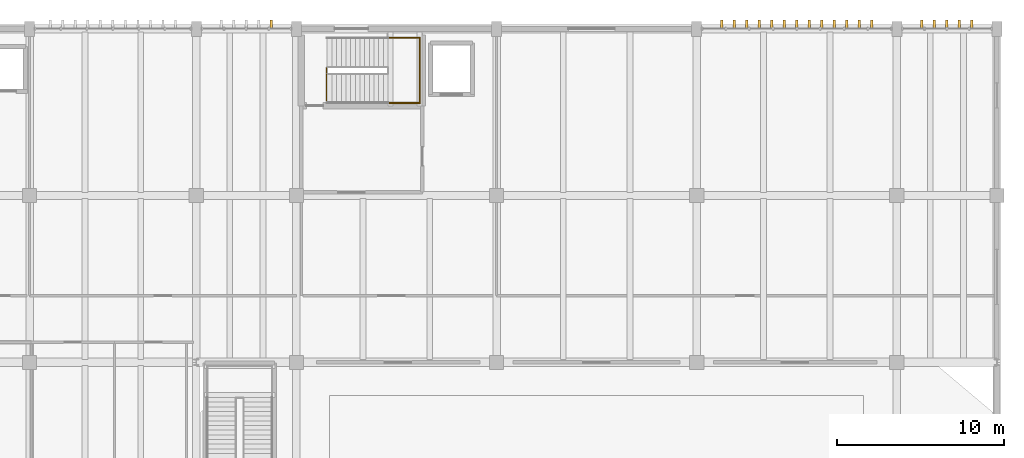
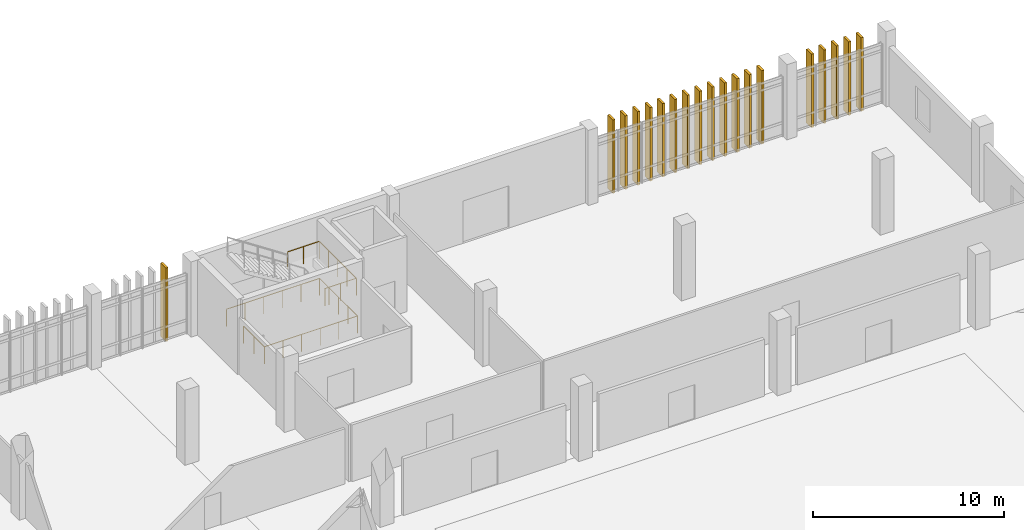
# One storey, part 86 of 87: 19 shading devices, 2 railings.
"""IFC4 building model written with IfcOpenShell, lengths in metres."""

import ifcopenshell
import ifcopenshell.guid

model = None  # the IFC model being written
_history = None  # IfcOwnerHistory: only IFC2X3 demands one
_inside = {}  # id of a spatial element -> (the spatial element, [elements in it])
_under = {}  # id of a project, library or spatial element -> (it, [spatial elements below it])
_declared = {}  # id of a project -> (the project, [libraries it declares])
_typed = {}  # id of a type object -> (the type object, [elements of that type])
_made_of = {}  # id of a material, layer set ... -> (it, [elements and type objects made of it])


def new_model(schema):
    """Start an empty IFC model of exactly this schema.

    Asked for "IFC4X3", IfcOpenShell would pick the latest addendum, in which some entities
    have other attributes; the version numbers below select the first issue.
    IFC2X3 requires an IfcOwnerHistory on every rooted entity: one is made here for all.
    """
    global model, _history
    if schema == "IFC4X3":
        model = ifcopenshell.file(schema_version=(4, 3, 0, 0))
    else:
        model = ifcopenshell.file(schema=schema)
    _inside.clear()
    _under.clear()
    _declared.clear()
    _typed.clear()
    _made_of.clear()
    _history = None
    if model.schema == "IFC2X3":
        org = make("IfcOrganization", Name="unknown")
        user = make(
            "IfcPersonAndOrganization",
            ThePerson=make("IfcPerson", FamilyName="unknown"),
            TheOrganization=org,
        )
        app = make(
            "IfcApplication",
            ApplicationDeveloper=org,
            Version="unknown",
            ApplicationFullName="unknown",
            ApplicationIdentifier="unknown",
        )
        _history = make(
            "IfcOwnerHistory",
            OwningUser=user,
            OwningApplication=app,
            ChangeAction="ADDED",
            CreationDate=0,
        )
    return model


def make(cls, **values):
    """One entity of the class cls with the attributes given. An attribute that is None is left unset."""
    return model.create_entity(
        cls, **{name: value for name, value in values.items() if value is not None}
    )


def rooted(cls, **values):
    """An entity with a GlobalId (a new one), such as an element, a storey or a relation."""
    return make(cls, GlobalId=ifcopenshell.guid.new(), OwnerHistory=_history, **values)


def si_unit(unit_type, name, prefix=None):
    """IfcSIUnit, for example si_unit("LENGTHUNIT", "METRE", prefix="MILLI")."""
    return make("IfcSIUnit", UnitType=unit_type, Prefix=prefix, Name=name)


def assignment(units):
    """IfcUnitAssignment: the units of a project."""
    return None if units is None else make("IfcUnitAssignment", Units=units)


def point(xyz):
    """IfcCartesianPoint."""
    return None if xyz is None else make("IfcCartesianPoint", Coordinates=xyz)


def direction(xyz):
    """IfcDirection."""
    return None if xyz is None else make("IfcDirection", DirectionRatios=xyz)


def frame(location, z_axis=None, x_axis=None):
    """IfcAxis2Placement3D, a coordinate frame: its origin and axes. An axis left out is left unset."""
    return make(
        "IfcAxis2Placement3D",
        Location=point(location),
        Axis=direction(z_axis),
        RefDirection=direction(x_axis),
    )


def frame_2d(location, x_axis=None):
    """IfcAxis2Placement2D, a coordinate frame in the plane: its origin and x axis."""
    return make(
        "IfcAxis2Placement2D", Location=point(location), RefDirection=direction(x_axis)
    )


def origin():
    """The frame at (0, 0, 0) with its axes left unset."""
    return frame((0.0, 0.0, 0.0))


def origin_2d():
    """The frame at (0, 0) in the plane with its x axis left unset."""
    return frame_2d((0.0, 0.0))


def place(relative_to, where):
    """IfcLocalPlacement: puts the frame where relative to a parent placement (None: the world)."""
    return make(
        "IfcLocalPlacement", PlacementRelTo=relative_to, RelativePlacement=where
    )


def context(
    kind, dimensions, precision=None, world=None, true_north=None, identifier=None
):
    """IfcGeometricRepresentationContext, for example the 3D "Model" context."""
    return make(
        "IfcGeometricRepresentationContext",
        ContextIdentifier=identifier,
        ContextType=kind,
        CoordinateSpaceDimension=dimensions,
        Precision=precision,
        WorldCoordinateSystem=world,
        TrueNorth=true_north,
    )


def subcontext(parent, identifier, kind, view, scale=None):
    """IfcGeometricRepresentationSubContext, for example "Body" below "Model"."""
    return make(
        "IfcGeometricRepresentationSubContext",
        ContextIdentifier=identifier,
        ContextType=kind,
        ParentContext=parent,
        TargetScale=scale,
        TargetView=view,
    )


def project(units=None, contexts=None):
    """IfcProject with its units and contexts."""
    return rooted(
        "IfcProject",
        Name="project",
        RepresentationContexts=contexts,
        UnitsInContext=assignment(units),
    )


def spatial(cls, under=None, at=None, **own):
    """A site, building, storey or space (cls), placed at a placement, below another one or the project."""
    s = rooted(cls, ObjectPlacement=at, **own)
    if under is not None:
        _under.setdefault(under.id(), (under, []))[1].append(s)
    return s


def profile(cls, at=None, kind="AREA", **sizes):
    """A parametric profile (cls). Its sizes go by their IFC names, for example OverallWidth=200.0."""
    return make(cls, ProfileType=kind, Position=at, **sizes)


def rectangle(**sizes):
    """IfcRectangleProfileDef."""
    return profile("IfcRectangleProfileDef", **sizes)


def circle(**sizes):
    """IfcCircleProfileDef."""
    return profile("IfcCircleProfileDef", **sizes)


def extrude(swept, where, along, depth):
    """IfcExtrudedAreaSolid: the profile swept, set in the frame where, extruded along a direction by depth."""
    return make(
        "IfcExtrudedAreaSolid",
        SweptArea=swept,
        Position=where,
        ExtrudedDirection=direction(along),
        Depth=depth,
    )


def shape(context_of_items, identifier, shape_type, items):
    """IfcShapeRepresentation: the items that make up one representation, for example the "Body"."""
    return make(
        "IfcShapeRepresentation",
        ContextOfItems=context_of_items,
        RepresentationIdentifier=identifier,
        RepresentationType=shape_type,
        Items=items,
    )


def material(Name=None, Category=None):
    """IfcMaterial."""
    return make("IfcMaterial", Name=Name, Category=Category)


def made_of(thing, what):
    """Note that an element or type object is made of a material, layer set ...; save() writes the relation."""
    if what is not None:
        _made_of.setdefault(what.id(), (what, []))[1].append(thing)
    return thing


def type_object(cls, material=None, **own):
    """A type object (cls), such as IfcWallType, which elements share."""
    return made_of(rooted(cls, **own), material)


def element(
    cls,
    number,
    at=None,
    inside=None,
    cuts=None,
    type_object=None,
    material=None,
    context=None,
    identifier="Body",
    shape_type=None,
    held_by="IfcProductDefinitionShape",
    body=None,
    shapes=None,
    **own,
):
    """One element of the class cls, such as IfcWall. Its Tag is "e" and its number.

    at: its placement. inside: the storey or other place that contains it. cuts: it is an
    opening in that element (IfcRelVoidsElement). A single representation is given by context,
    identifier, shape_type and body (its items); several are given by shapes. held_by: the class
    of the entity that holds the representations. save() writes the other relations.
    """
    e = rooted(cls, Tag="e%d" % number, ObjectPlacement=at, **own)
    if body is not None:
        shapes = [shape(context, identifier, shape_type, body)]
    if shapes is not None:
        e.Representation = make(held_by, Representations=shapes)
    if inside is not None:
        _inside.setdefault(inside.id(), (inside, []))[1].append(e)
    if cuts is not None:
        rooted(
            "IfcRelVoidsElement", RelatingBuildingElement=cuts, RelatedOpeningElement=e
        )
    if type_object is not None:
        _typed.setdefault(type_object.id(), (type_object, []))[1].append(e)
    return made_of(e, material)


def aggregate(whole, parts):
    """IfcRelAggregates: a whole, such as a stair, and the parts it consists of."""
    return rooted("IfcRelAggregates", RelatingObject=whole, RelatedObjects=parts)


def save(model, path):
    """Write the relations noted so far, then the file.

    IfcRelAggregates (storeys below a building ...), IfcRelContainedInSpatialStructure (elements
    in a storey), IfcRelDefinesByType, IfcRelAssociatesMaterial and IfcRelDeclares: one each for
    every whole, place, type object, material and project.
    """
    for whole, parts in _under.values():
        aggregate(whole, parts)
    for where, things in _inside.values():
        rooted(
            "IfcRelContainedInSpatialStructure",
            RelatedElements=things,
            RelatingStructure=where,
        )
    for kind, things in _typed.values():
        rooted("IfcRelDefinesByType", RelatedObjects=things, RelatingType=kind)
    for what, things in _made_of.values():
        rooted("IfcRelAssociatesMaterial", RelatedObjects=things, RelatingMaterial=what)
    for by, libraries in _declared.values():
        rooted("IfcRelDeclares", RelatingContext=by, RelatedDefinitions=libraries)
    model.write(path)


model = new_model("IFC4")

# Units and contexts
model_context = context("Model", 3, precision=1e-05, world=origin(), true_north=direction((0.0, 1.0)))
body_context = subcontext(model_context, "Body", "Model", "MODEL_VIEW")
ifc_project = project(units=[si_unit("LENGTHUNIT", "METRE"), si_unit("AREAUNIT", "SQUARE_METRE"), si_unit("VOLUMEUNIT", "CUBIC_METRE"), si_unit("PLANEANGLEUNIT", "RADIAN"), si_unit("MASSUNIT", "GRAM", prefix="KILO")], contexts=[model_context])

# Site, building, storey
site_placement = place(None, origin())
site = spatial("IfcSite", under=ifc_project, at=site_placement, CompositionType="ELEMENT")
building_placement = place(site_placement, origin())
building = spatial("IfcBuilding", under=site, at=building_placement, Name="Mersad Railyard Sports Hall", CompositionType="ELEMENT")
storey_placement = place(building_placement, origin())
storey = spatial("IfcBuildingStorey", under=building, at=storey_placement, Name="L00", CompositionType="ELEMENT", Elevation=0.0)

# Railings
ifc_material_1 = material(Name="Steel S355", Category="steel")
railing_type = type_object("IfcRailingType", Name="ARC-RL-GR01", PredefinedType="GUARDRAIL", material=ifc_material_1)
railing_1_placement = place(storey_placement, frame((138.81005859375, 112.68994140625, 0.0)))
element("IfcRailing", 1, at=railing_1_placement, inside=storey, type_object=railing_type, Name="Interior guard GR01-0095", PredefinedType="GUARDRAIL", context=body_context, shape_type="SweptSolid", body=[
    extrude(circle(Radius=0.02392578125, at=origin_2d()), frame((0.0, 0.0, 1.09619140625), z_axis=(0.0, -1.0, 0.0), x_axis=(1.0, 0.0, 0.0)), (0.0, 0.0, 1.0), 2.169921875),
    extrude(circle(Radius=0.02392578125, at=origin_2d()), frame((0.0, -2.169921875, 1.09619140625), z_axis=(1.0, 0.0, 0.0), x_axis=(0.0, 1.0, 0.0)), (0.0, 0.0, 1.0), 5.619873046875),
    extrude(circle(Radius=0.02392578125, at=origin_2d()), frame((5.619873046875, -2.169921875, 1.09619140625), z_axis=(0.0, 1.0, 0.0), x_axis=(-1.0, 0.0, 0.0)), (0.0, 0.0, 1.0), 3.9599609375),
    extrude(circle(Radius=0.02392578125, at=origin_2d()), frame((5.619873046875, 1.7900390625, 1.09619140625), z_axis=(-1.0, 0.0, 0.0), x_axis=(0.0, -1.0, 0.0)), (0.0, 0.0, 1.0), 5.619873046875),
    extrude(circle(Radius=0.02099609375, at=origin_2d()), origin(), (0.0, 0.0, 1.0), 1.072021484375),
    extrude(circle(Radius=0.02099609375, at=origin_2d()), frame((0.0, -1.0849609375, 0.0)), (0.0, 0.0, 1.0), 1.072021484375),
    extrude(circle(Radius=0.02099609375, at=origin_2d()), frame((0.0, -2.169921875, 0.0)), (0.0, 0.0, 1.0), 1.072021484375),
    extrude(circle(Radius=0.02099609375, at=origin_2d()), frame((1.1240234375, -2.169921875, 0.0)), (0.0, 0.0, 1.0), 1.072021484375),
    extrude(circle(Radius=0.02099609375, at=origin_2d()), frame((2.248046875, -2.169921875, 0.0)), (0.0, 0.0, 1.0), 1.072021484375),
    extrude(circle(Radius=0.02099609375, at=origin_2d()), frame((3.371826171875, -2.169921875, 0.0)), (0.0, 0.0, 1.0), 1.072021484375),
    extrude(circle(Radius=0.02099609375, at=origin_2d()), frame((4.495849609375, -2.169921875, 0.0)), (0.0, 0.0, 1.0), 1.072021484375),
    extrude(circle(Radius=0.02099609375, at=origin_2d()), frame((5.619873046875, -2.169921875, 0.0)), (0.0, 0.0, 1.0), 1.072021484375),
    extrude(circle(Radius=0.02099609375, at=origin_2d()), frame((5.619873046875, -1.179931640625, 0.0)), (0.0, 0.0, 1.0), 1.072021484375),
    extrude(circle(Radius=0.02099609375, at=origin_2d()), frame((5.619873046875, -0.18994140625, 0.0)), (0.0, 0.0, 1.0), 1.072021484375),
    extrude(circle(Radius=0.02099609375, at=origin_2d()), frame((5.619873046875, 0.800048828125, 0.0)), (0.0, 0.0, 1.0), 1.072021484375),
    extrude(circle(Radius=0.02099609375, at=origin_2d()), frame((5.619873046875, 1.7900390625, 0.0)), (0.0, 0.0, 1.0), 1.072021484375),
    extrude(circle(Radius=0.02099609375, at=origin_2d()), frame((4.495849609375, 1.7900390625, 0.0)), (0.0, 0.0, 1.0), 1.072021484375),
    extrude(circle(Radius=0.02099609375, at=origin_2d()), frame((3.371826171875, 1.7900390625, 0.0)), (0.0, 0.0, 1.0), 1.072021484375),
    extrude(circle(Radius=0.02099609375, at=origin_2d()), frame((2.248046875, 1.7900390625, 0.0)), (0.0, 0.0, 1.0), 1.072021484375),
    extrude(circle(Radius=0.02099609375, at=origin_2d()), frame((1.1240234375, 1.7900390625, 0.0)), (0.0, 0.0, 1.0), 1.072021484375),
    extrude(circle(Radius=0.02099609375, at=origin_2d()), frame((0.0, 1.7900390625, 0.0)), (0.0, 0.0, 1.0), 1.072021484375),
])
railing_2_placement = place(storey_placement, frame((142.489990234375, 110.56005859375, 2.39990234375)))
element("IfcRailing", 2, at=railing_2_placement, inside=storey, type_object=railing_type, Name="Interior guard GR01-0099", PredefinedType="GUARDRAIL", context=body_context, shape_type="SweptSolid", body=[
    extrude(circle(Radius=0.02392578125, at=origin_2d()), frame((0.0, 0.0, 1.09619140625), z_axis=(1.0, 0.0, 0.0), x_axis=(0.0, 1.0, 0.0)), (0.0, 0.0, 1.0), 1.89990234375),
    extrude(circle(Radius=0.02392578125, at=origin_2d()), frame((1.89990234375, 0.0, 1.09619140625), z_axis=(0.0, 1.0, 0.0), x_axis=(-1.0, 0.0, 0.0)), (0.0, 0.0, 1.0), 3.8798828125),
    extrude(circle(Radius=0.02392578125, at=origin_2d()), frame((1.89990234375, 3.8798828125, 1.09619140625), z_axis=(-1.0, 0.0, 0.0), x_axis=(0.0, -1.0, 0.0)), (0.0, 0.0, 1.0), 1.89990234375),
    extrude(circle(Radius=0.02099609375, at=origin_2d()), origin(), (0.0, 0.0, 1.0), 1.072021484375),
    extrude(circle(Radius=0.02099609375, at=origin_2d()), frame((0.949951171875, 0.0, 0.0)), (0.0, 0.0, 1.0), 1.072021484375),
    extrude(circle(Radius=0.02099609375, at=origin_2d()), frame((1.89990234375, 0.0, 0.0)), (0.0, 0.0, 1.0), 1.072021484375),
    extrude(circle(Radius=0.02099609375, at=origin_2d()), frame((1.89990234375, 0.969970703125, 0.0)), (0.0, 0.0, 1.0), 1.072021484375),
    extrude(circle(Radius=0.02099609375, at=origin_2d()), frame((1.89990234375, 1.93994140625, 0.0)), (0.0, 0.0, 1.0), 1.072021484375),
    extrude(circle(Radius=0.02099609375, at=origin_2d()), frame((1.89990234375, 2.909912109375, 0.0)), (0.0, 0.0, 1.0), 1.072021484375),
    extrude(circle(Radius=0.02099609375, at=origin_2d()), frame((1.89990234375, 3.8798828125, 0.0)), (0.0, 0.0, 1.0), 1.072021484375),
    extrude(circle(Radius=0.02099609375, at=origin_2d()), frame((0.949951171875, 3.8798828125, 0.0)), (0.0, 0.0, 1.0), 1.072021484375),
    extrude(circle(Radius=0.02099609375, at=origin_2d()), frame((0.0, 3.8798828125, 0.0)), (0.0, 0.0, 1.0), 1.072021484375),
])

# Shading devices
ifc_material_2 = material(Name="Precast concrete C45/55", Category="concrete")
shading_device_type = type_object("IfcShadingDeviceType", Name="ARC-SH-FN01", PredefinedType="USERDEFINED", material=ifc_material_2)
for number, where, z_axis, x_axis, name in (
    (3, (135.5, 115.25, -0.10009765625), (0.0, 0.0, 1.0), (1.0, 0.0, 0.0), "Precast sun fin FN01-0053"),
    (4, (162.5, 115.25, -0.10009765625), (0.0, 0.0, 1.0), (1.0, 0.0, 0.0), "Precast sun fin FN01-0054"),
    (5, (163.25, 115.25, -0.10009765625), (0.0, 0.0, 1.0), (1.0, 0.0, 0.0), "Precast sun fin FN01-0055"),
    (6, (164.0, 115.25, -0.10009765625), (0.0, 0.0, 1.0), (1.0, 0.0, 0.0), "Precast sun fin FN01-0056"),
    (7, (164.75, 115.25, -0.10009765625), (0.0, 0.0, 1.0), (1.0, 0.0, 0.0), "Precast sun fin FN01-0057"),
    (8, (165.5, 115.25, -0.10009765625), (0.0, 0.0, 1.0), (1.0, 0.0, 0.0), "Precast sun fin FN01-0058"),
    (9, (166.25, 115.25, -0.10009765625), (0.0, 0.0, 1.0), (1.0, 0.0, 0.0), "Precast sun fin FN01-0059"),
    (10, (167.0, 115.25, -0.10009765625), (0.0, 0.0, 1.0), (1.0, 0.0, 0.0), "Precast sun fin FN01-0060"),
    (11, (167.75, 115.25, -0.10009765625), (0.0, 0.0, 1.0), (1.0, 0.0, 0.0), "Precast sun fin FN01-0061"),
    (12, (168.5, 115.25, -0.10009765625), (0.0, 0.0, 1.0), (1.0, 0.0, 0.0), "Precast sun fin FN01-0062"),
    (13, (169.25, 115.25, -0.10009765625), (0.0, 0.0, 1.0), (1.0, 0.0, 0.0), "Precast sun fin FN01-0063"),
    (14, (170.0, 115.25, -0.10009765625), (0.0, 0.0, 1.0), (1.0, 0.0, 0.0), "Precast sun fin FN01-0064"),
    (15, (170.75, 115.25, -0.10009765625), (0.0, 0.0, 1.0), (1.0, 0.0, 0.0), "Precast sun fin FN01-0065"),
    (16, (171.5, 115.25, -0.10009765625), (0.0, 0.0, 1.0), (1.0, 0.0, 0.0), "Precast sun fin FN01-0066"),
    (17, (174.5, 115.25, -0.10009765625), (0.0, 0.0, 1.0), (1.0, 0.0, 0.0), "Precast sun fin FN01-0067"),
    (18, (175.25, 115.25, -0.10009765625), (0.0, 0.0, 1.0), (1.0, 0.0, 0.0), "Precast sun fin FN01-0068"),
    (19, (176.0, 115.25, -0.10009765625), (0.0, 0.0, 1.0), (1.0, 0.0, 0.0), "Precast sun fin FN01-0069"),
    (20, (176.75, 115.25, -0.10009765625), (0.0, 0.0, 1.0), (1.0, 0.0, 0.0), "Precast sun fin FN01-0070"),
    (21, (177.5, 115.25, -0.10009765625), (0.0, 0.0, 1.0), (1.0, 0.0, 0.0), "Precast sun fin FN01-0071"),
):
    element("IfcShadingDevice", number, at=place(storey_placement, frame(where, z_axis=z_axis, x_axis=x_axis)), inside=storey, type_object=shading_device_type, Name=name, ObjectType="FIN", PredefinedType="USERDEFINED", context=body_context, shape_type="SweptSolid", body=[
        extrude(rectangle(XDim=0.139892578125, YDim=0.550048828125, at=origin_2d()), origin(), (0.0, 0.0, 1.0), 4.699951171875),
    ])

save(model, "model.ifc")
